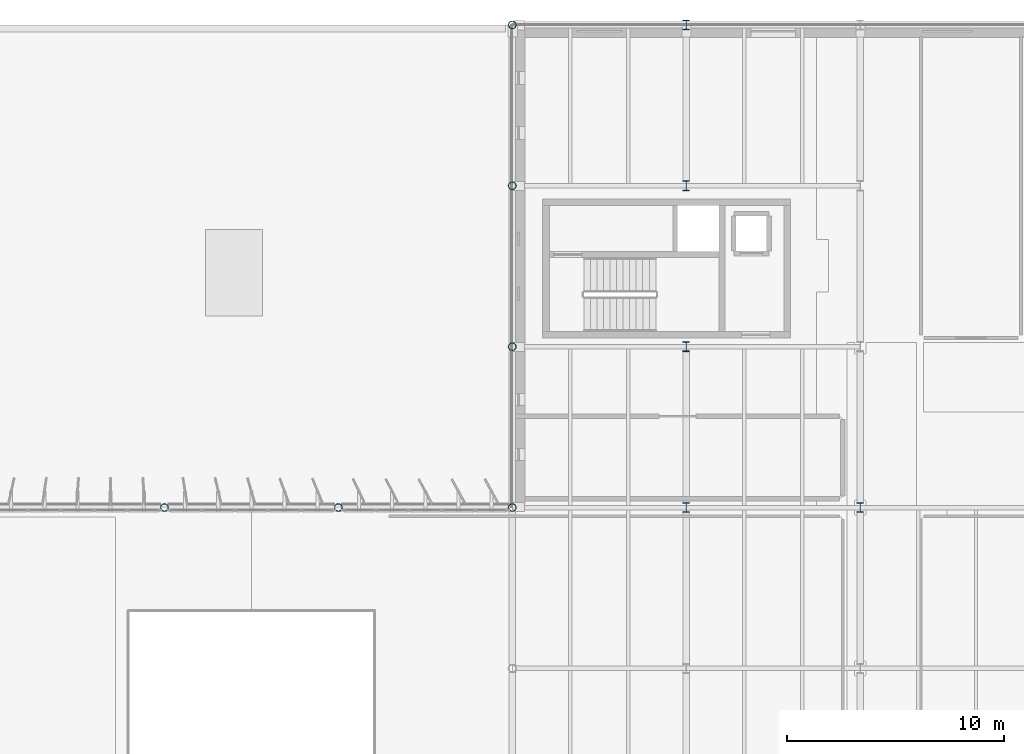
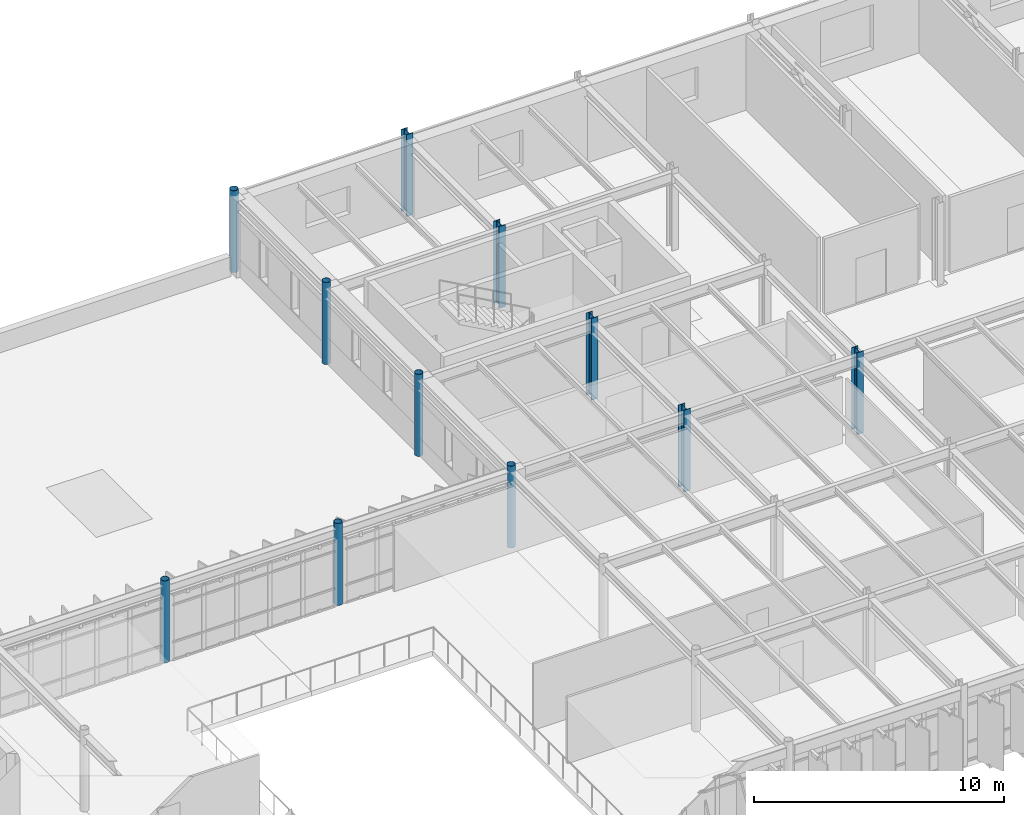
# One storey, part 6 of 56: 11 columns.
"""IFC4 building model written with IfcOpenShell, lengths in metres."""

from ifc_helpers import new_model, si_unit, direction, frame, origin, origin_2d, place, context, subcontext, project, spatial, hollow_circle, i_section, extrude, material, material_profile, profile_set, type_object, element, save


model = new_model("IFC4")

# Units and contexts
model_context = context("Model", 3, precision=1e-05, world=origin(), true_north=direction((0.0, 1.0)))
body_context = subcontext(model_context, "Body", "Model", "MODEL_VIEW")
ifc_project = project(units=[si_unit("LENGTHUNIT", "METRE"), si_unit("AREAUNIT", "SQUARE_METRE"), si_unit("VOLUMEUNIT", "CUBIC_METRE"), si_unit("PLANEANGLEUNIT", "RADIAN"), si_unit("MASSUNIT", "GRAM", prefix="KILO")], contexts=[model_context])

# Site, building, storey
site_placement = place(None, origin())
site = spatial("IfcSite", under=ifc_project, at=site_placement, CompositionType="ELEMENT")
building_placement = place(site_placement, origin())
building = spatial("IfcBuilding", under=site, at=building_placement, Name="Valkorina Park Police Headquarters", CompositionType="ELEMENT")
storey_placement = place(building_placement, frame((0.0, 0.0, 14.10009765625)))
storey = spatial("IfcBuildingStorey", under=building, at=storey_placement, Name="L04", CompositionType="ELEMENT", Elevation=14.10009765625)

# Columns
ifc_material = material(Name="Steel S355", Category="steel")
ifc_material_profile_1 = material_profile(ifc_material, hollow_circle(Radius=0.177734375, WallThickness=0.01611328125, at=origin_2d()), Name="CHS 355.6x16")
ifc_profile_set_1 = profile_set([ifc_material_profile_1], Name="Steel S355")
column_type_1 = type_object("IfcColumnType", Name="COL-S355-CHS355-EXT", PredefinedType="COLUMN", material=ifc_profile_set_1)
for number, where, z_axis, x_axis, name in (
    (1, (64.800048828125, 59.199951171875, 0.0), (0.0, 0.0, 1.0), (1.0, 0.0, 0.0), "L04 Column 0883"),
    (2, (72.800048828125, 59.199951171875, 0.0), (0.0, 0.0, 1.0), (1.0, 0.0, 0.0), "L04 Column 0885"),
    (3, (80.800048828125, 59.199951171875, 0.0), (0.0, 0.0, 1.0), (1.0, 0.0, 0.0), "L04 Column 0889"),
    (4, (80.800048828125, 66.60009765625, 0.0), (0.0, 0.0, 1.0), (1.0, 0.0, 0.0), "L04 Column 0890"),
    (5, (80.800048828125, 74.0, 0.0), (0.0, 0.0, 1.0), (1.0, 0.0, 0.0), "L04 Column 0891"),
    (6, (80.800048828125, 81.39990234375, 0.0), (0.0, 0.0, 1.0), (1.0, 0.0, 0.0), "L04 Column 0892"),
):
    element("IfcColumn", number, at=place(storey_placement, frame(where, z_axis=z_axis, x_axis=x_axis)), inside=storey, type_object=column_type_1, Name=name, PredefinedType="COLUMN", context=body_context, shape_type="SweptSolid", body=[
        extrude(hollow_circle(Radius=0.177734375, WallThickness=0.01611328125, at=origin_2d()), origin(), (0.0, 0.0, 1.0), 4.0),
    ])
ifc_material_profile_2 = material_profile(ifc_material, i_section(OverallWidth=0.300048828125, OverallDepth=0.449951171875, WebThickness=0.013916015625, FlangeThickness=0.02587890625, FilletRadius=0.027099609375, at=origin_2d()), Name="HEB 450")
ifc_profile_set_2 = profile_set([ifc_material_profile_2], Name="Steel S355")
column_type_2 = type_object("IfcColumnType", Name="COL-S355-HEB450-EXT", PredefinedType="COLUMN", material=ifc_profile_set_2)
column_placement = place(storey_placement, frame((88.800048828125, 81.39990234375, 0.0), z_axis=(0.0, 0.0, 1.0), x_axis=(1.0, 0.0, 0.0)))
element("IfcColumn", 7, at=column_placement, inside=storey, type_object=column_type_2, Name="L04 Column 0899", PredefinedType="COLUMN", context=body_context, shape_type="SweptSolid", body=[
    extrude(i_section(OverallWidth=0.300048828125, OverallDepth=0.449951171875, WebThickness=0.013916015625, FlangeThickness=0.02587890625, FilletRadius=0.027099609375, at=origin_2d()), origin(), (0.0, 0.0, 1.0), 4.0),
])
ifc_material_profile_3 = material_profile(ifc_material, i_section(OverallWidth=0.300048828125, OverallDepth=0.449951171875, WebThickness=0.013916015625, FlangeThickness=0.02587890625, FilletRadius=0.027099609375, at=origin_2d()), Name="HEB 450")
ifc_profile_set_3 = profile_set([ifc_material_profile_3], Name="Steel S355")
column_type_3 = type_object("IfcColumnType", Name="COL-S355-HEB450-INT", PredefinedType="COLUMN", material=ifc_profile_set_3)
for number, where, z_axis, x_axis, name in (
    (8, (88.800048828125, 59.199951171875, 0.0), (0.0, 0.0, 1.0), (1.0, 0.0, 0.0), "L04 Column 0896"),
    (9, (88.800048828125, 66.60009765625, 0.0), (0.0, 0.0, 1.0), (1.0, 0.0, 0.0), "L04 Column 0897"),
    (10, (88.800048828125, 74.0, 0.0), (0.0, 0.0, 1.0), (1.0, 0.0, 0.0), "L04 Column 0898"),
    (11, (96.800048828125, 59.199951171875, 0.0), (0.0, 0.0, 1.0), (1.0, 0.0, 0.0), "L04 Column 0903"),
):
    element("IfcColumn", number, at=place(storey_placement, frame(where, z_axis=z_axis, x_axis=x_axis)), inside=storey, type_object=column_type_3, Name=name, PredefinedType="COLUMN", context=body_context, shape_type="SweptSolid", body=[
        extrude(i_section(OverallWidth=0.300048828125, OverallDepth=0.449951171875, WebThickness=0.013916015625, FlangeThickness=0.02587890625, FilletRadius=0.027099609375, at=origin_2d()), origin(), (0.0, 0.0, 1.0), 4.0),
    ])

save(model, "model.ifc")
